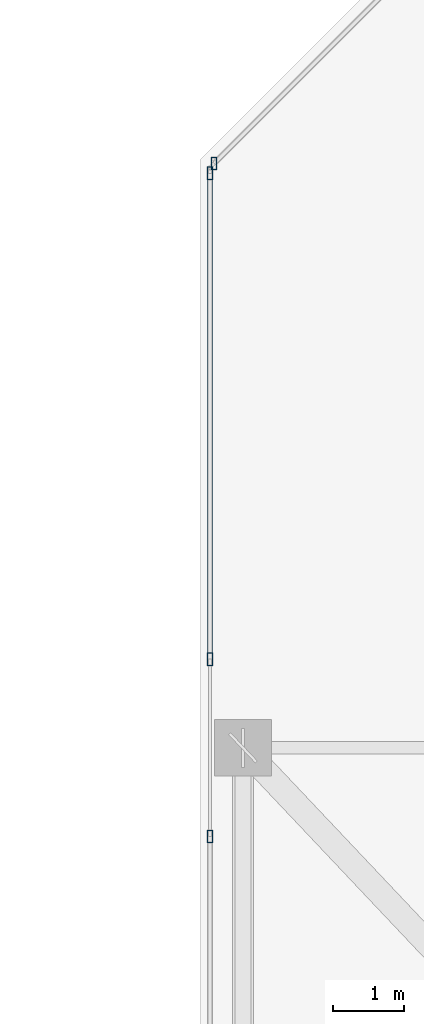
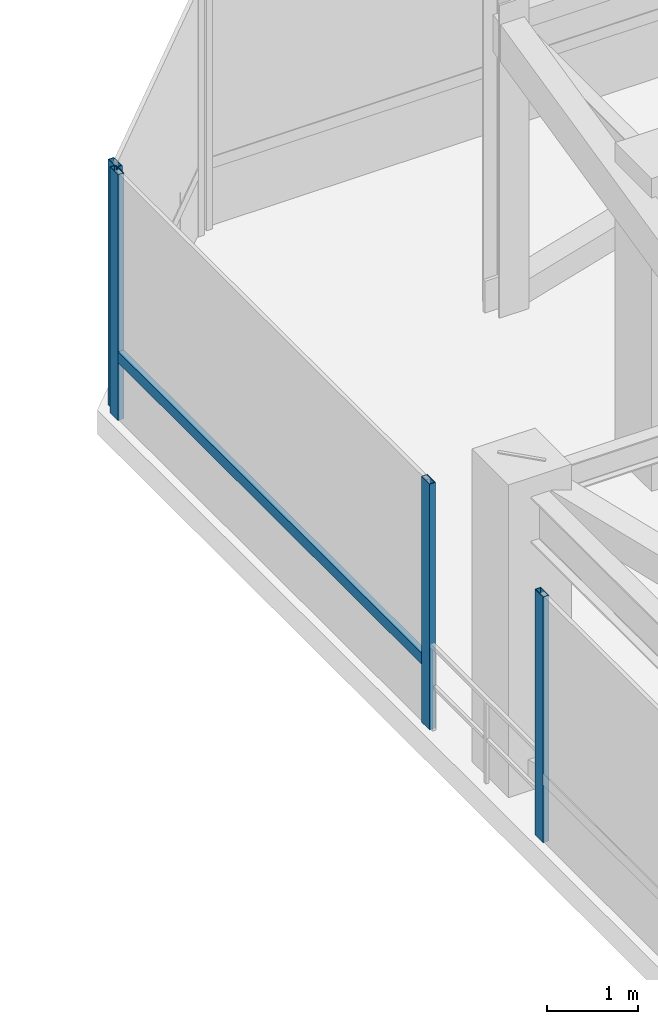
# One storey, part 24 of 47: 5 members, 3 elements without a shape of their own.
"""IFC4 building model written with IfcOpenShell, lengths in metres."""

from ifc_helpers import new_model, si_unit, direction, frame, origin, origin_2d, place, context, subcontext, project, spatial, hollow_rectangle, extrude, material, material_profile, profile_set, type_object, element, aggregate, save


model = new_model("IFC4")

# Units and contexts
model_context = context("Model", 3, precision=1e-05, world=origin(), true_north=direction((0.0, 1.0)))
body_context = subcontext(model_context, "Body", "Model", "MODEL_VIEW")
ifc_project = project(units=[si_unit("LENGTHUNIT", "METRE"), si_unit("AREAUNIT", "SQUARE_METRE"), si_unit("VOLUMEUNIT", "CUBIC_METRE"), si_unit("PLANEANGLEUNIT", "RADIAN"), si_unit("MASSUNIT", "GRAM", prefix="KILO")], contexts=[model_context])

# Site, building, storey
site_placement = place(None, origin())
site = spatial("IfcSite", under=ifc_project, at=site_placement, CompositionType="ELEMENT")
building_placement = place(site_placement, origin())
building = spatial("IfcBuilding", under=site, at=building_placement, Name="Thornwick Lancets Civic Towers", CompositionType="ELEMENT")
storey_placement = place(building_placement, frame((0.0, 0.0, 279.89990234375)))
storey = spatial("IfcBuildingStorey", under=building, at=storey_placement, Name="C01", CompositionType="ELEMENT", Elevation=279.89990234375)

# Curtain wall, member
ifc_material_1 = material(Name="Crown ring acoustic-louvre and glazing screen wall", Category="glass")
curtain_wall_type = type_object("IfcCurtainWallType", Name="CW_SYS_07", PredefinedType="NOTDEFINED", material=ifc_material_1)
curtain_wall_1_placement = place(storey_placement, origin())
curtain_wall_1 = element("IfcCurtainWall", 1, at=curtain_wall_1_placement, inside=storey, type_object=curtain_wall_type, Name="C01 Curtain Wall CW-C01-B-E5", PredefinedType="NOTDEFINED")
ifc_material_2 = material(Name="Thermally broken bronze aluminium S355", Category="steel")
ifc_material_profile_1 = material_profile(ifc_material_2, hollow_rectangle(XDim=0.074951171875, YDim=0.179931640625, WallThickness=0.006103515625, at=origin_2d()), Name="RHS 180x75x6")
ifc_profile_set_1 = profile_set([ifc_material_profile_1], Name="Thermally broken bronze aluminium S355")
member_type_1 = type_object("IfcMemberType", Name="CW_MUL_180", PredefinedType="MULLION", material=ifc_profile_set_1)
member_1_placement = place(storey_placement, frame((70.7919921875, 48.238037109375, 0.0), z_axis=(0.0, 0.0, 1.0), x_axis=(1.0, 0.0, 0.0)))
member_1 = element("IfcMember", 2, at=member_1_placement, type_object=member_type_1, Name="CW-C01-B-E5 Mullion 1", PredefinedType="MULLION", context=body_context, shape_type="SweptSolid", body=[
    extrude(hollow_rectangle(XDim=0.074951171875, YDim=0.179931640625, WallThickness=0.006103515625, at=origin_2d()), origin(), (0.0, 0.0, 1.0), 3.300048828125),
])
aggregate(curtain_wall_1, [member_1])

# Curtain wall, members
curtain_wall_2_placement = place(storey_placement, origin())
curtain_wall_2 = element("IfcCurtainWall", 3, at=curtain_wall_2_placement, inside=storey, type_object=curtain_wall_type, Name="C01 Curtain Wall CW-C01-B-E6-S1", PredefinedType="NOTDEFINED")
member_2_placement = place(storey_placement, frame((70.7353515625, 48.101318359375, 0.0), z_axis=(0.0, 0.0, 1.0), x_axis=(1.0, 0.0, 0.0)))
member_2 = element("IfcMember", 4, at=member_2_placement, type_object=member_type_1, Name="CW-C01-B-E6-S1 Mullion 0", PredefinedType="MULLION", context=body_context, shape_type="SweptSolid", body=[
    extrude(hollow_rectangle(XDim=0.074951171875, YDim=0.179931640625, WallThickness=0.006103515625, at=origin_2d()), origin(), (0.0, 0.0, 1.0), 3.300048828125),
])
member_3_placement = place(storey_placement, frame((70.7353515625, 41.25, 0.0), z_axis=(0.0, 0.0, 1.0), x_axis=(1.0, 0.0, 0.0)))
member_3 = element("IfcMember", 5, at=member_3_placement, type_object=member_type_1, Name="CW-C01-B-E6-S1 Mullion 1", PredefinedType="MULLION", context=body_context, shape_type="SweptSolid", body=[
    extrude(hollow_rectangle(XDim=0.074951171875, YDim=0.179931640625, WallThickness=0.006103515625, at=origin_2d()), origin(), (0.0, 0.0, 1.0), 3.300048828125),
])

# Curtain wall, member
curtain_wall_3_placement = place(storey_placement, origin())
curtain_wall_3 = element("IfcCurtainWall", 6, at=curtain_wall_3_placement, inside=storey, type_object=curtain_wall_type, Name="C01 Curtain Wall CW-C01-B-E6-S2", PredefinedType="NOTDEFINED")
member_4_placement = place(storey_placement, frame((70.7353515625, 38.75, 0.0), z_axis=(0.0, 0.0, 1.0), x_axis=(1.0, 0.0, 0.0)))
member_4 = element("IfcMember", 7, at=member_4_placement, type_object=member_type_1, Name="CW-C01-B-E6-S2 Mullion 0", PredefinedType="MULLION", context=body_context, shape_type="SweptSolid", body=[
    extrude(hollow_rectangle(XDim=0.074951171875, YDim=0.179931640625, WallThickness=0.006103515625, at=origin_2d()), origin(), (0.0, 0.0, 1.0), 3.300048828125),
])
aggregate(curtain_wall_3, [member_4])

# Member
ifc_material_profile_2 = material_profile(ifc_material_2, hollow_rectangle(XDim=0.074951171875, YDim=0.14990234375, WallThickness=0.0048828125, at=origin_2d()), Name="RHS 150x75x5")
ifc_profile_set_2 = profile_set([ifc_material_profile_2], Name="Thermally broken bronze aluminium S355")
member_type_2 = type_object("IfcMemberType", Name="CW_TRN_150", PredefinedType="USERDEFINED", material=ifc_profile_set_2)
member_5_placement = place(storey_placement, frame((70.7353515625, 48.081298828125, 0.85009765625), z_axis=(0.0, -1.0, 0.0), x_axis=(1.0, 0.0, 0.0)))
member_5 = element("IfcMember", 8, at=member_5_placement, type_object=member_type_2, Name="CW-C01-B-E6-S1 Transom 0", ObjectType="TRANSOM", PredefinedType="USERDEFINED", context=body_context, shape_type="SweptSolid", body=[
    extrude(hollow_rectangle(XDim=0.074951171875, YDim=0.14990234375, WallThickness=0.0048828125, at=origin_2d()), origin(), (0.0, 0.0, 1.0), 6.811279296875),
])

aggregate(curtain_wall_2, [member_2, member_3, member_5])

save(model, "model.ifc")
